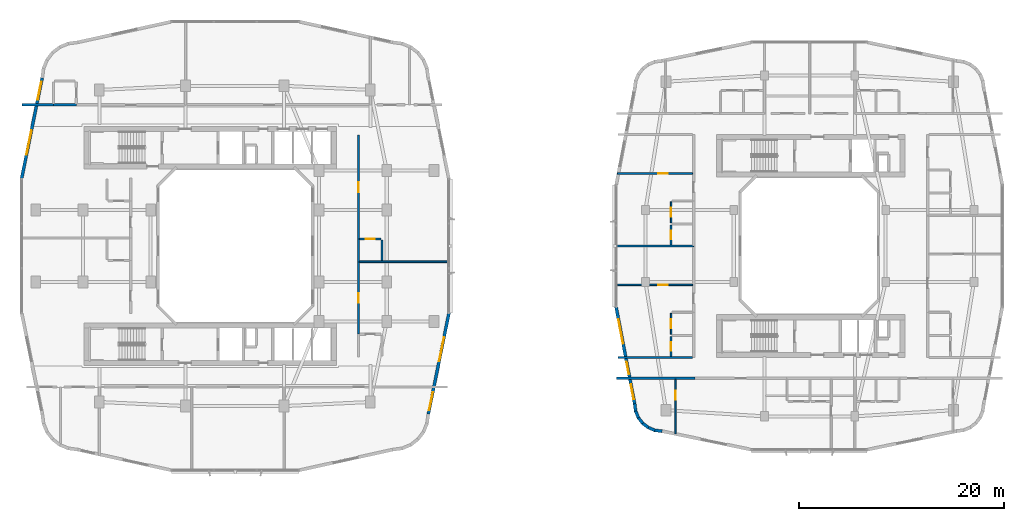
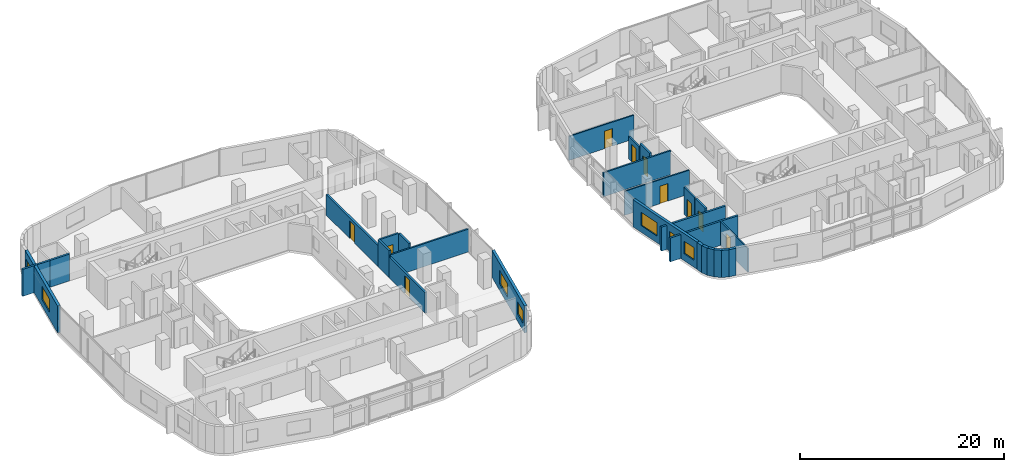
# One storey, part 15 of 26: 27 walls, 10 doors, 7 windows, 17 openings.
"""IFC4 building model written with IfcOpenShell, lengths in metres."""

import ifcopenshell
import ifcopenshell.guid

model = None  # the IFC model being written
_history = None  # IfcOwnerHistory: only IFC2X3 demands one
_inside = {}  # id of a spatial element -> (the spatial element, [elements in it])
_under = {}  # id of a project, library or spatial element -> (it, [spatial elements below it])
_declared = {}  # id of a project -> (the project, [libraries it declares])
_typed = {}  # id of a type object -> (the type object, [elements of that type])
_made_of = {}  # id of a material, layer set ... -> (it, [elements and type objects made of it])


def new_model(schema):
    """Start an empty IFC model of exactly this schema.

    Asked for "IFC4X3", IfcOpenShell would pick the latest addendum, in which some entities
    have other attributes; the version numbers below select the first issue.
    IFC2X3 requires an IfcOwnerHistory on every rooted entity: one is made here for all.
    """
    global model, _history
    if schema == "IFC4X3":
        model = ifcopenshell.file(schema_version=(4, 3, 0, 0))
    else:
        model = ifcopenshell.file(schema=schema)
    _inside.clear()
    _under.clear()
    _declared.clear()
    _typed.clear()
    _made_of.clear()
    _history = None
    if model.schema == "IFC2X3":
        org = make("IfcOrganization", Name="unknown")
        user = make(
            "IfcPersonAndOrganization",
            ThePerson=make("IfcPerson", FamilyName="unknown"),
            TheOrganization=org,
        )
        app = make(
            "IfcApplication",
            ApplicationDeveloper=org,
            Version="unknown",
            ApplicationFullName="unknown",
            ApplicationIdentifier="unknown",
        )
        _history = make(
            "IfcOwnerHistory",
            OwningUser=user,
            OwningApplication=app,
            ChangeAction="ADDED",
            CreationDate=0,
        )
    return model


def make(cls, **values):
    """One entity of the class cls with the attributes given. An attribute that is None is left unset."""
    return model.create_entity(
        cls, **{name: value for name, value in values.items() if value is not None}
    )


def rooted(cls, **values):
    """An entity with a GlobalId (a new one), such as an element, a storey or a relation."""
    return make(cls, GlobalId=ifcopenshell.guid.new(), OwnerHistory=_history, **values)


def si_unit(unit_type, name, prefix=None):
    """IfcSIUnit, for example si_unit("LENGTHUNIT", "METRE", prefix="MILLI")."""
    return make("IfcSIUnit", UnitType=unit_type, Prefix=prefix, Name=name)


def derived_unit(unit_type, elements):
    """IfcDerivedUnit: a product of units, each with its exponent."""
    return make(
        "IfcDerivedUnit",
        Elements=[
            make("IfcDerivedUnitElement", Unit=unit, Exponent=power)
            for unit, power in elements
        ],
        UnitType=unit_type,
    )


def assignment(units):
    """IfcUnitAssignment: the units of a project."""
    return None if units is None else make("IfcUnitAssignment", Units=units)


def point(xyz):
    """IfcCartesianPoint."""
    return None if xyz is None else make("IfcCartesianPoint", Coordinates=xyz)


def direction(xyz):
    """IfcDirection."""
    return None if xyz is None else make("IfcDirection", DirectionRatios=xyz)


def frame(location, z_axis=None, x_axis=None):
    """IfcAxis2Placement3D, a coordinate frame: its origin and axes. An axis left out is left unset."""
    return make(
        "IfcAxis2Placement3D",
        Location=point(location),
        Axis=direction(z_axis),
        RefDirection=direction(x_axis),
    )


def frame_2d(location, x_axis=None):
    """IfcAxis2Placement2D, a coordinate frame in the plane: its origin and x axis."""
    return make(
        "IfcAxis2Placement2D", Location=point(location), RefDirection=direction(x_axis)
    )


def origin():
    """The frame at (0, 0, 0) with its axes left unset."""
    return frame((0.0, 0.0, 0.0))


def place(relative_to, where):
    """IfcLocalPlacement: puts the frame where relative to a parent placement (None: the world)."""
    return make(
        "IfcLocalPlacement", PlacementRelTo=relative_to, RelativePlacement=where
    )


def context(
    kind, dimensions, precision=None, world=None, true_north=None, identifier=None
):
    """IfcGeometricRepresentationContext, for example the 3D "Model" context."""
    return make(
        "IfcGeometricRepresentationContext",
        ContextIdentifier=identifier,
        ContextType=kind,
        CoordinateSpaceDimension=dimensions,
        Precision=precision,
        WorldCoordinateSystem=world,
        TrueNorth=true_north,
    )


def subcontext(parent, identifier, kind, view, scale=None):
    """IfcGeometricRepresentationSubContext, for example "Body" below "Model"."""
    return make(
        "IfcGeometricRepresentationSubContext",
        ContextIdentifier=identifier,
        ContextType=kind,
        ParentContext=parent,
        TargetScale=scale,
        TargetView=view,
    )


def project(units=None, contexts=None):
    """IfcProject with its units and contexts."""
    return rooted(
        "IfcProject",
        Name="project",
        RepresentationContexts=contexts,
        UnitsInContext=assignment(units),
    )


def spatial(cls, under=None, at=None, **own):
    """A site, building, storey or space (cls), placed at a placement, below another one or the project."""
    s = rooted(cls, ObjectPlacement=at, **own)
    if under is not None:
        _under.setdefault(under.id(), (under, []))[1].append(s)
    return s


def profile(cls, at=None, kind="AREA", **sizes):
    """A parametric profile (cls). Its sizes go by their IFC names, for example OverallWidth=200.0."""
    return make(cls, ProfileType=kind, Position=at, **sizes)


def rectangle(**sizes):
    """IfcRectangleProfileDef."""
    return profile("IfcRectangleProfileDef", **sizes)


def extrude(swept, where, along, depth):
    """IfcExtrudedAreaSolid: the profile swept, set in the frame where, extruded along a direction by depth."""
    return make(
        "IfcExtrudedAreaSolid",
        SweptArea=swept,
        Position=where,
        ExtrudedDirection=direction(along),
        Depth=depth,
    )


def shape(context_of_items, identifier, shape_type, items):
    """IfcShapeRepresentation: the items that make up one representation, for example the "Body"."""
    return make(
        "IfcShapeRepresentation",
        ContextOfItems=context_of_items,
        RepresentationIdentifier=identifier,
        RepresentationType=shape_type,
        Items=items,
    )


def material(Name=None, Category=None):
    """IfcMaterial."""
    return make("IfcMaterial", Name=Name, Category=Category)


def layer(
    of_material, thickness, ventilated=None, Name=None, Category=None, Priority=None
):
    """IfcMaterialLayer: one layer of a wall or slab, of a material (None: an air gap)."""
    return make(
        "IfcMaterialLayer",
        Material=of_material,
        LayerThickness=thickness,
        IsVentilated=ventilated,
        Name=Name,
        Category=Category,
        Priority=Priority,
    )


def layer_set(layers, Name=None):
    """IfcMaterialLayerSet."""
    return make("IfcMaterialLayerSet", MaterialLayers=layers, LayerSetName=Name)


def made_of(thing, what):
    """Note that an element or type object is made of a material, layer set ...; save() writes the relation."""
    if what is not None:
        _made_of.setdefault(what.id(), (what, []))[1].append(thing)
    return thing


def type_object(cls, material=None, **own):
    """A type object (cls), such as IfcWallType, which elements share."""
    return made_of(rooted(cls, **own), material)


def element(
    cls,
    number,
    at=None,
    inside=None,
    cuts=None,
    type_object=None,
    material=None,
    context=None,
    identifier="Body",
    shape_type=None,
    held_by="IfcProductDefinitionShape",
    body=None,
    shapes=None,
    **own,
):
    """One element of the class cls, such as IfcWall. Its Tag is "e" and its number.

    at: its placement. inside: the storey or other place that contains it. cuts: it is an
    opening in that element (IfcRelVoidsElement). A single representation is given by context,
    identifier, shape_type and body (its items); several are given by shapes. held_by: the class
    of the entity that holds the representations. save() writes the other relations.
    """
    e = rooted(cls, Tag="e%d" % number, ObjectPlacement=at, **own)
    if body is not None:
        shapes = [shape(context, identifier, shape_type, body)]
    if shapes is not None:
        e.Representation = make(held_by, Representations=shapes)
    if inside is not None:
        _inside.setdefault(inside.id(), (inside, []))[1].append(e)
    if cuts is not None:
        rooted(
            "IfcRelVoidsElement", RelatingBuildingElement=cuts, RelatedOpeningElement=e
        )
    if type_object is not None:
        _typed.setdefault(type_object.id(), (type_object, []))[1].append(e)
    return made_of(e, material)


def fill(opening, filler):
    """IfcRelFillsElement: the door or window that sits in an opening."""
    return rooted(
        "IfcRelFillsElement",
        RelatingOpeningElement=opening,
        RelatedBuildingElement=filler,
    )


def aggregate(whole, parts):
    """IfcRelAggregates: a whole, such as a stair, and the parts it consists of."""
    return rooted("IfcRelAggregates", RelatingObject=whole, RelatedObjects=parts)


def save(model, path):
    """Write the relations noted so far, then the file.

    IfcRelAggregates (storeys below a building ...), IfcRelContainedInSpatialStructure (elements
    in a storey), IfcRelDefinesByType, IfcRelAssociatesMaterial and IfcRelDeclares: one each for
    every whole, place, type object, material and project.
    """
    for whole, parts in _under.values():
        aggregate(whole, parts)
    for where, things in _inside.values():
        rooted(
            "IfcRelContainedInSpatialStructure",
            RelatedElements=things,
            RelatingStructure=where,
        )
    for kind, things in _typed.values():
        rooted("IfcRelDefinesByType", RelatedObjects=things, RelatingType=kind)
    for what, things in _made_of.values():
        rooted("IfcRelAssociatesMaterial", RelatedObjects=things, RelatingMaterial=what)
    for by, libraries in _declared.values():
        rooted("IfcRelDeclares", RelatingContext=by, RelatedDefinitions=libraries)
    model.write(path)


model = new_model("IFC4")

# Units and contexts
model_context = context("Model", 3, precision=1e-05, world=origin(), true_north=direction((0.0, 1.0)))
body_context = subcontext(model_context, "Body", "Model", "MODEL_VIEW")
ifc_project = project(units=[si_unit("LENGTHUNIT", "METRE"), si_unit("AREAUNIT", "SQUARE_METRE"), si_unit("VOLUMEUNIT", "CUBIC_METRE"), si_unit("PLANEANGLEUNIT", "RADIAN"), si_unit("MASSUNIT", "GRAM", prefix="KILO"), derived_unit("THERMALTRANSMITTANCEUNIT", [(si_unit("POWERUNIT", "WATT"), 1), (si_unit("LENGTHUNIT", "METRE"), -2), (si_unit("THERMODYNAMICTEMPERATUREUNIT", "KELVIN"), -1)])], contexts=[model_context])

# Site, building, storey
site_placement = place(None, origin())
site = spatial("IfcSite", under=ifc_project, at=site_placement, CompositionType="ELEMENT")
building_placement = place(site_placement, origin())
building = spatial("IfcBuilding", under=site, at=building_placement, Name="Kivonza Crest Hotel", CompositionType="ELEMENT")
storey_placement = place(building_placement, frame((0.0, 0.0, 62.5)))
storey = spatial("IfcBuildingStorey", under=building, at=storey_placement, Name="L16", CompositionType="ELEMENT", Elevation=62.5)

# Walls
ifc_material_1 = material(Name="High-density acoustic masonry inter-tenancy wall", Category="masonry")
ifc_layer_1 = layer(ifc_material_1, 0.179931640625)
ifc_layer_set_1 = layer_set([ifc_layer_1], Name="High-density acoustic masonry inter-tenancy wall")
wall_type_1 = type_object("IfcWallType", Name="WL-ACOU-180", PredefinedType="SOLIDWALL", material=ifc_layer_set_1)
wall_1_placement = place(storey_placement, frame((33.050048828125, 23.4599609375, 0.0), z_axis=(0.0, 0.0, 1.0), x_axis=(1.0, 0.0, 0.0)))
element("IfcWall", 1, at=wall_1_placement, inside=storey, type_object=wall_type_1, Name="L16 interior partition WA-L16-T1E-DIV1", PredefinedType="SOLIDWALL", context=body_context, shape_type="SweptSolid", body=[
    extrude(rectangle(XDim=8.889892578125, YDim=0.179931640625, at=frame_2d((4.44482421875, 0.0))), origin(), (0.0, 0.0, 1.0), 2.7451171875),
])
wall_2_placement = place(storey_placement, frame((58.06005859375, 25.0, 0.0), z_axis=(0.0, 0.0, 1.0), x_axis=(1.0, 0.0, 0.0)))
element("IfcWall", 2, at=wall_2_placement, inside=storey, type_object=wall_type_1, Name="L16 interior partition WA-L16-T2W-DIV1", PredefinedType="SOLIDWALL", context=body_context, shape_type="SweptSolid", body=[
    extrude(rectangle(XDim=7.639892578125, YDim=0.179931640625, at=frame_2d((3.81982421875, 0.0))), origin(), (0.0, 0.0, 1.0), 2.864990234375),
])
ifc_material_2 = material(Name="Autoclaved aerated concrete blockwork", Category="masonry")
ifc_layer_2 = layer(ifc_material_2, 0.219970703125)
ifc_layer_set_2 = layer_set([ifc_layer_2], Name="Autoclaved aerated concrete blockwork")
wall_type_2 = type_object("IfcWallType", Name="WL-ACOU-220", PredefinedType="SOLIDWALL", material=ifc_layer_set_2)
wall_3_placement = place(storey_placement, frame((0.239990234375, 38.75, 0.0), z_axis=(0.0, 0.0, 1.0), x_axis=(1.0, 0.0, 0.0)))
element("IfcWall", 3, at=wall_3_placement, inside=storey, type_object=wall_type_2, Name="L16 interior partition WA-L16-N01-XCORR", PredefinedType="SOLIDWALL", context=body_context, shape_type="SweptSolid", body=[
    extrude(rectangle(XDim=3.110107421875, YDim=0.219970703125, at=frame_2d((1.55517578125, 0.0))), origin(), (0.0, 0.0, 1.0), 3.219970703125),
])
wall_4_placement = place(storey_placement, frame((3.35009765625, 38.75, 0.0), z_axis=(0.0, 0.0, 1.0), x_axis=(1.0, 0.0, 0.0)))
element("IfcWall", 4, at=wall_4_placement, inside=storey, type_object=wall_type_2, Name="L16 interior partition WA-L16-N01-BCORR", PredefinedType="SOLIDWALL", context=body_context, shape_type="SweptSolid", body=[
    extrude(rectangle(XDim=2.199951171875, YDim=0.219970703125, at=frame_2d((1.10009765625, 0.0))), origin(), (0.0, 0.0, 1.0), 3.219970703125),
])

# Wall, opening, door
wall_5_placement = place(storey_placement, frame((33.050048828125, 16.39990234375, 0.0), z_axis=(0.0, 0.0, 1.0), x_axis=(0.0, 1.0, 0.0)))
wall_5 = element("IfcWall", 5, at=wall_5_placement, inside=storey, type_object=wall_type_2, Name="L16 interior partition WA-L16-E04-MCORR", PredefinedType="SOLIDWALL", context=body_context, shape_type="SweptSolid", body=[
    extrude(rectangle(XDim=7.06005859375, YDim=0.219970703125, at=frame_2d((3.530029296875, 0.0))), origin(), (0.0, 0.0, 1.0), 2.4951171875),
])
opening_1_placement = place(wall_5_placement, frame((3.054931640625, 0.0, 0.0)))
opening_1 = element("IfcOpeningElement", 6, at=opening_1_placement, cuts=wall_5, Name="Opening DU-60", PredefinedType="OPENING", context=body_context, shape_type="SweptSolid", body=[
    extrude(rectangle(XDim=0.949951171875, YDim=2.10009765625, at=frame_2d((0.47509765625, 1.050048828125))), frame((0.0, 0.1201171875, 0.0), z_axis=(0.0, -1.0, 0.0), x_axis=(1.0, 0.0, 0.0)), (0.0, 0.0, 1.0), 0.239990234375),
])
ifc_material_3 = material(Name="Hardwood timber oak", Category="wood")
door_type_1 = type_object("IfcDoorType", Name="DR-UNIT-950", OperationType="NOTDEFINED", PredefinedType="DOOR", material=ifc_material_3)
door_1_placement = place(opening_1_placement, frame((0.949951171875, 0.0, 0.0), z_axis=(0.0, 0.0, 1.0), x_axis=(-1.0, 0.0, 0.0)))
door_1 = element("IfcDoor", 7, at=door_1_placement, inside=storey, type_object=door_type_1, Name="L16 E04 guest unit entrance fire door", OperationType="SINGLE_SWING_RIGHT", OverallHeight=2.10009765625, OverallWidth=0.949951171875, PredefinedType="DOOR", context=body_context, shape_type="SweptSolid", body=[
    extrude(rectangle(XDim=0.949951171875, YDim=2.10009765625, at=frame_2d((0.47509765625, 1.050048828125))), frame((0.0, 0.02490234375, 0.0), z_axis=(0.0, -1.0, 0.0), x_axis=(1.0, 0.0, 0.0)), (0.0, 0.0, 1.0), 0.050048828125),
])
fill(opening_1, door_1)

# Wall
wall_6_placement = place(storey_placement, frame((33.050048828125, 23.4599609375, 0.0), z_axis=(0.0, 0.0, 1.0), x_axis=(0.0, 1.0, 0.0)))
element("IfcWall", 8, at=wall_6_placement, inside=storey, type_object=wall_type_2, Name="L16 interior partition WA-L16-E05-BCORR", PredefinedType="SOLIDWALL", context=body_context, shape_type="SweptSolid", body=[
    extrude(rectangle(XDim=2.199951171875, YDim=0.219970703125, at=frame_2d((1.10009765625, 0.0))), origin(), (0.0, 0.0, 1.0), 3.219970703125),
])

# Wall, opening, door
wall_7_placement = place(storey_placement, frame((33.050048828125, 25.659912109375, 0.0), z_axis=(0.0, 0.0, 1.0), x_axis=(0.0, 1.0, 0.0)))
wall_7 = element("IfcWall", 9, at=wall_7_placement, inside=storey, type_object=wall_type_2, Name="L16 interior partition WA-L16-E05-MCORR", PredefinedType="SOLIDWALL", context=body_context, shape_type="SweptSolid", body=[
    extrude(rectangle(XDim=10.14013671875, YDim=0.219970703125, at=frame_2d((5.070068359375, 0.0))), origin(), (0.0, 0.0, 1.0), 2.4951171875),
])
opening_2_placement = place(wall_7_placement, frame((4.594970703125, 0.0, 0.0)))
opening_2 = element("IfcOpeningElement", 10, at=opening_2_placement, cuts=wall_7, Name="Opening DU-60", PredefinedType="OPENING", context=body_context, shape_type="SweptSolid", body=[
    extrude(rectangle(XDim=0.949951171875, YDim=2.10009765625, at=frame_2d((0.47509765625, 1.050048828125))), frame((0.0, 0.1201171875, 0.0), z_axis=(0.0, -1.0, 0.0), x_axis=(1.0, 0.0, 0.0)), (0.0, 0.0, 1.0), 0.239990234375),
])
door_2_placement = place(opening_2_placement, frame((0.949951171875, 0.0, 0.0), z_axis=(0.0, 0.0, 1.0), x_axis=(-1.0, 0.0, 0.0)))
door_2 = element("IfcDoor", 11, at=door_2_placement, inside=storey, type_object=door_type_1, Name="L16 E05 guest unit entrance fire door", OperationType="SINGLE_SWING_LEFT", OverallHeight=2.10009765625, OverallWidth=0.949951171875, PredefinedType="DOOR", context=body_context, shape_type="SweptSolid", body=[
    extrude(rectangle(XDim=0.949951171875, YDim=2.10009765625, at=frame_2d((0.47509765625, 1.050048828125))), frame((0.0, 0.02490234375, 0.0), z_axis=(0.0, -1.0, 0.0), x_axis=(1.0, 0.0, 0.0)), (0.0, 0.0, 1.0), 0.050048828125),
])
fill(opening_2, door_2)

# Walls
wall_8_placement = place(storey_placement, frame((58.159912109375, 12.10009765625, 0.0), z_axis=(0.0, 0.0, 1.0), x_axis=(1.0, 0.0, 0.0)))
element("IfcWall", 12, at=wall_8_placement, inside=storey, type_object=wall_type_2, Name="L16 interior partition WA-L16-A03-LCORR", PredefinedType="SOLIDWALL", context=body_context, shape_type="SweptSolid", body=[
    extrude(rectangle(XDim=7.690185546875, YDim=0.219970703125, at=frame_2d((3.84521484375, 0.0))), origin(), (0.0, 0.0, 1.0), 2.864990234375),
])
wall_9_placement = place(storey_placement, frame((58.320068359375, 14.139892578125, 0.0), z_axis=(0.0, 0.0, 1.0), x_axis=(1.0, 0.0, 0.0)))
element("IfcWall", 13, at=wall_9_placement, inside=storey, type_object=wall_type_2, Name="L16 interior partition WA-L16-T2W-ENDS", PredefinedType="SOLIDWALL", context=body_context, shape_type="SweptSolid", body=[
    extrude(rectangle(XDim=7.280029296875, YDim=0.219970703125, at=frame_2d((3.64013671875, 0.0))), origin(), (0.0, 0.0, 1.0), 2.864990234375),
])

# Wall, openings, windows
ifc_material_4 = material(Name="Precast concrete C40/50", Category="concrete")
ifc_layer_3 = layer(ifc_material_4, 0.300048828125)
ifc_layer_set_3 = layer_set([ifc_layer_3], Name="Precast concrete C40/50")
wall_type_3 = type_object("IfcWallType", Name="WL-EXT-300", PredefinedType="STANDARD", material=ifc_layer_set_3)
wall_10_placement = place(storey_placement, frame((39.85107421875, 8.6220703125, 0.0), z_axis=(0.0, 0.0, 1.0), x_axis=(0.199990901713, 0.979797754249, 0.0)))
wall_10 = element("IfcWall", 14, at=wall_10_placement, inside=storey, type_object=wall_type_3, Name="L16 T1 exterior insulated wall 16", PredefinedType="STANDARD", context=body_context, shape_type="SweptSolid", body=[
    extrude(rectangle(XDim=10.065185546875, YDim=0.300048828125, at=frame_2d((5.03271484375, 0.0))), origin(), (0.0, 0.0, 1.0), 3.219970703125),
])
opening_3_placement = place(wall_10_placement, frame((0.3779296875, 0.0, 0.85009765625)))
opening_3 = element("IfcOpeningElement", 15, at=opening_3_placement, cuts=wall_10, Name="Opening WN-03", PredefinedType="OPENING", context=body_context, shape_type="SweptSolid", body=[
    extrude(rectangle(XDim=1.800048828125, YDim=1.5, at=frame_2d((0.89990234375, 0.75))), frame((0.0, 0.16015625, 0.0), z_axis=(0.0, -1.0, 0.0), x_axis=(1.0, 0.0, 0.0)), (0.0, 0.0, 1.0), 0.320068359375),
])
opening_4_placement = place(wall_10_placement, frame((5.236083984375, 0.0, 0.800048828125)))
opening_4 = element("IfcOpeningElement", 16, at=opening_4_placement, cuts=wall_10, Name="Opening WN-05", PredefinedType="OPENING", context=body_context, shape_type="SweptSolid", body=[
    extrude(rectangle(XDim=2.39990234375, YDim=1.60009765625, at=frame_2d((1.199951171875, 0.800048828125))), frame((0.0, 0.16015625, 0.0), z_axis=(0.0, -1.0, 0.0), x_axis=(1.0, 0.0, 0.0)), (0.0, 0.0, 1.0), 0.320068359375),
])
ifc_material_5 = material(Name="Thermally broken bronze aluminium and low-E double glazing", Category="aluminium")
window_type_1 = type_object("IfcWindowType", Name="WN-180x150", PartitioningType="DOUBLE_PANEL_VERTICAL", PredefinedType="WINDOW", material=ifc_material_5)
window_1_placement = place(opening_3_placement, origin())
window_1 = element("IfcWindow", 17, at=window_1_placement, inside=storey, type_object=window_type_1, Name="L16 T1 facade window 16 bay 1", OverallHeight=1.5, OverallWidth=1.800048828125, PartitioningType="SINGLE_PANEL", PredefinedType="WINDOW", context=body_context, shape_type="SweptSolid", body=[
    extrude(rectangle(XDim=1.800048828125, YDim=1.5, at=frame_2d((0.89990234375, 0.75))), frame((0.0, 0.030029296875, 0.0), z_axis=(0.0, -1.0, 0.0), x_axis=(1.0, 0.0, 0.0)), (0.0, 0.0, 1.0), 0.06005859375),
])
fill(opening_3, window_1)
window_type_2 = type_object("IfcWindowType", Name="WN-240x160", PartitioningType="TRIPLE_PANEL_VERTICAL", PredefinedType="WINDOW", material=ifc_material_5)
window_2_placement = place(opening_4_placement, origin())
window_2 = element("IfcWindow", 18, at=window_2_placement, inside=storey, type_object=window_type_2, Name="L16 T1 facade window 16 bay 2", OverallHeight=1.60009765625, OverallWidth=2.39990234375, PartitioningType="SINGLE_PANEL", PredefinedType="WINDOW", context=body_context, shape_type="SweptSolid", body=[
    extrude(rectangle(XDim=2.39990234375, YDim=1.60009765625, at=frame_2d((1.199951171875, 0.800048828125))), frame((0.0, 0.030029296875, 0.0), z_axis=(0.0, -1.0, 0.0), x_axis=(1.0, 0.0, 0.0)), (0.0, 0.0, 1.0), 0.06005859375),
])
fill(opening_4, window_2)

wall_11_placement = place(storey_placement, frame((2.22900390625, 41.3779296875, 0.0), z_axis=(0.0, 0.0, 1.0), x_axis=(-0.199990901713, -0.979797754249, 0.0)))
wall_11 = element("IfcWall", 19, at=wall_11_placement, inside=storey, type_object=wall_type_3, Name="L16 T1 exterior insulated wall 34", PredefinedType="STANDARD", context=body_context, shape_type="SweptSolid", body=[
    extrude(rectangle(XDim=10.065185546875, YDim=0.300048828125, at=frame_2d((5.03271484375, 0.0))), origin(), (0.0, 0.0, 1.0), 3.219970703125),
])
opening_5_placement = place(wall_11_placement, frame((0.3779296875, 0.0, 0.85009765625)))
opening_5 = element("IfcOpeningElement", 20, at=opening_5_placement, cuts=wall_11, Name="Opening WN-03", PredefinedType="OPENING", context=body_context, shape_type="SweptSolid", body=[
    extrude(rectangle(XDim=1.800048828125, YDim=1.5, at=frame_2d((0.89990234375, 0.75))), frame((0.0, 0.16015625, 0.0), z_axis=(0.0, -1.0, 0.0), x_axis=(1.0, 0.0, 0.0)), (0.0, 0.0, 1.0), 0.320068359375),
])
opening_6_placement = place(wall_11_placement, frame((5.236083984375, 0.0, 0.800048828125)))
opening_6 = element("IfcOpeningElement", 21, at=opening_6_placement, cuts=wall_11, Name="Opening WN-05", PredefinedType="OPENING", context=body_context, shape_type="SweptSolid", body=[
    extrude(rectangle(XDim=2.39990234375, YDim=1.60009765625, at=frame_2d((1.199951171875, 0.800048828125))), frame((0.0, 0.16015625, 0.0), z_axis=(0.0, -1.0, 0.0), x_axis=(1.0, 0.0, 0.0)), (0.0, 0.0, 1.0), 0.320068359375),
])
window_3_placement = place(opening_5_placement, origin())
window_3 = element("IfcWindow", 22, at=window_3_placement, inside=storey, type_object=window_type_1, Name="L16 T1 facade window 34 bay 1", OverallHeight=1.5, OverallWidth=1.800048828125, PartitioningType="SINGLE_PANEL", PredefinedType="WINDOW", context=body_context, shape_type="SweptSolid", body=[
    extrude(rectangle(XDim=1.800048828125, YDim=1.5, at=frame_2d((0.89990234375, 0.75))), frame((0.0, 0.030029296875, 0.0), z_axis=(0.0, -1.0, 0.0), x_axis=(1.0, 0.0, 0.0)), (0.0, 0.0, 1.0), 0.06005859375),
])
fill(opening_5, window_3)
window_4_placement = place(opening_6_placement, origin())
window_4 = element("IfcWindow", 23, at=window_4_placement, inside=storey, type_object=window_type_2, Name="L16 T1 facade window 34 bay 2", OverallHeight=1.60009765625, OverallWidth=2.39990234375, PartitioningType="SINGLE_PANEL", PredefinedType="WINDOW", context=body_context, shape_type="SweptSolid", body=[
    extrude(rectangle(XDim=2.39990234375, YDim=1.60009765625, at=frame_2d((1.199951171875, 0.800048828125))), frame((0.0, 0.030029296875, 0.0), z_axis=(0.0, -1.0, 0.0), x_axis=(1.0, 0.0, 0.0)), (0.0, 0.0, 1.0), 0.06005859375),
])
fill(opening_6, window_4)

# Walls
wall_12_placement = place(storey_placement, frame((59.947998046875, 9.626953125, 0.0), z_axis=(0.0, 0.0, 1.0), x_axis=(0.130255288807, -0.991480488834, 0.0)))
element("IfcWall", 24, at=wall_12_placement, inside=storey, type_object=wall_type_3, Name="L16 T2 exterior insulated wall 1", PredefinedType="STANDARD", context=body_context, shape_type="SweptSolid", body=[
    extrude(rectangle(XDim=0.72900390625, YDim=0.300048828125, at=frame_2d((0.364501953125, 0.0))), origin(), (0.0, 0.0, 1.0), 3.25),
])
for number, where, z_axis, x_axis, name in (
    (25, (60.02392578125, 8.955078125, 0.0), (0.0, 0.0, 1.0), (0.383546213491, -0.923521684703, 0.0), "L16 T2 exterior insulated wall 2"),
    (26, (60.279052734375, 8.31103515625, 0.0), (0.0, 0.0, 1.0), (0.608397189915, -0.79363269798, 0.0), "L16 T2 exterior insulated wall 3"),
    (27, (60.69091796875, 7.75390625, 0.0), (0.0, 0.0, 1.0), (0.79363269798, -0.608397189915, 0.0), "L16 T2 exterior insulated wall 4"),
    (28, (61.23388671875, 7.323974609375, 0.0), (0.0, 0.0, 1.0), (0.923685632463, -0.383151213466, 0.0), "L16 T2 exterior insulated wall 5"),
):
    element("IfcWall", number, at=place(storey_placement, frame(where, z_axis=z_axis, x_axis=x_axis)), inside=storey, type_object=wall_type_3, Name=name, PredefinedType="STANDARD", context=body_context, shape_type="SweptSolid", body=[
        extrude(rectangle(XDim=0.74609375, YDim=0.300048828125, at=frame_2d((0.373046875, 0.0))), origin(), (0.0, 0.0, 1.0), 3.25),
    ])
wall_13_placement = place(storey_placement, frame((61.868896484375, 7.047119140625, 0.0), z_axis=(0.0, 0.0, 1.0), x_axis=(0.991559404866, -0.129653178221, 0.0)))
element("IfcWall", 29, at=wall_13_placement, inside=storey, type_object=wall_type_3, Name="L16 T2 exterior insulated wall 6", PredefinedType="STANDARD", context=body_context, shape_type="SweptSolid", body=[
    extrude(rectangle(XDim=0.764404296875, YDim=0.300048828125, at=frame_2d((0.38232421875, 0.0))), origin(), (0.0, 0.0, 1.0), 3.25),
])

# Wall, openings, windows
wall_14_placement = place(storey_placement, frame((58.136962890625, 19.08203125, 0.0), z_axis=(0.0, 0.0, 1.0), x_axis=(0.188087874316, -0.982152203854, 0.0)))
wall_14 = element("IfcWall", 30, at=wall_14_placement, inside=storey, type_object=wall_type_3, Name="L16 T2 exterior insulated wall 36", PredefinedType="STANDARD", context=body_context, shape_type="SweptSolid", body=[
    extrude(rectangle(XDim=9.6337890625, YDim=0.300048828125, at=frame_2d((4.81689453125, 0.0))), origin(), (0.0, 0.0, 1.0), 3.25),
])
opening_7_placement = place(wall_14_placement, frame((1.2548828125, 0.0, 0.800048828125)))
opening_7 = element("IfcOpeningElement", 31, at=opening_7_placement, cuts=wall_14, Name="Opening WN-05", PredefinedType="OPENING", context=body_context, shape_type="SweptSolid", body=[
    extrude(rectangle(XDim=2.39990234375, YDim=1.60009765625, at=frame_2d((1.199951171875, 0.800048828125))), frame((0.0, 0.16015625, 0.0), z_axis=(0.0, -1.0, 0.0), x_axis=(1.0, 0.0, 0.0)), (0.0, 0.0, 1.0), 0.320068359375),
])
opening_8_placement = place(wall_14_placement, frame((5.469970703125, 0.0, 0.85009765625)))
opening_8 = element("IfcOpeningElement", 32, at=opening_8_placement, cuts=wall_14, Name="Opening WN-01", PredefinedType="OPENING", context=body_context, shape_type="SweptSolid", body=[
    extrude(rectangle(XDim=1.199951171875, YDim=1.5, at=frame_2d((0.60009765625, 0.75))), frame((0.0, 0.16015625, 0.0), z_axis=(0.0, -1.0, 0.0), x_axis=(1.0, 0.0, 0.0)), (0.0, 0.0, 1.0), 0.320068359375),
])
opening_9_placement = place(wall_14_placement, frame((7.681884765625, 0.0, 0.85009765625)))
opening_9 = element("IfcOpeningElement", 33, at=opening_9_placement, cuts=wall_14, Name="Opening WN-02", PredefinedType="OPENING", context=body_context, shape_type="SweptSolid", body=[
    extrude(rectangle(XDim=1.5, YDim=1.5, at=frame_2d((0.75, 0.75))), frame((0.0, 0.16015625, 0.0), z_axis=(0.0, -1.0, 0.0), x_axis=(1.0, 0.0, 0.0)), (0.0, 0.0, 1.0), 0.320068359375),
])
window_type_3 = type_object("IfcWindowType", Name="WN-120x150", PartitioningType="SINGLE_PANEL", PredefinedType="WINDOW", material=ifc_material_5)
window_5_placement = place(opening_8_placement, origin())
window_5 = element("IfcWindow", 34, at=window_5_placement, inside=storey, type_object=window_type_3, Name="L16 T2 facade window 36 bay 2", OverallHeight=1.5, OverallWidth=1.199951171875, PartitioningType="SINGLE_PANEL", PredefinedType="WINDOW", context=body_context, shape_type="SweptSolid", body=[
    extrude(rectangle(XDim=1.199951171875, YDim=1.5, at=frame_2d((0.60009765625, 0.75))), frame((0.0, 0.030029296875, 0.0), z_axis=(0.0, -1.0, 0.0), x_axis=(1.0, 0.0, 0.0)), (0.0, 0.0, 1.0), 0.06005859375),
])
fill(opening_8, window_5)
window_type_4 = type_object("IfcWindowType", Name="WN-150x150", PartitioningType="DOUBLE_PANEL_VERTICAL", PredefinedType="WINDOW", material=ifc_material_5)
window_6_placement = place(opening_9_placement, origin())
window_6 = element("IfcWindow", 35, at=window_6_placement, inside=storey, type_object=window_type_4, Name="L16 T2 facade window 36 bay 3", OverallHeight=1.5, OverallWidth=1.5, PartitioningType="SINGLE_PANEL", PredefinedType="WINDOW", context=body_context, shape_type="SweptSolid", body=[
    extrude(rectangle(XDim=1.5, YDim=1.5, at=frame_2d((0.75, 0.75))), frame((0.0, 0.030029296875, 0.0), z_axis=(0.0, -1.0, 0.0), x_axis=(1.0, 0.0, 0.0)), (0.0, 0.0, 1.0), 0.06005859375),
])
fill(opening_9, window_6)
window_7_placement = place(opening_7_placement, origin())
window_7 = element("IfcWindow", 36, at=window_7_placement, inside=storey, type_object=window_type_2, Name="L16 T2 facade window 36 bay 1", OverallHeight=1.60009765625, OverallWidth=2.39990234375, PartitioningType="SINGLE_PANEL", PredefinedType="WINDOW", context=body_context, shape_type="SweptSolid", body=[
    extrude(rectangle(XDim=2.39990234375, YDim=1.60009765625, at=frame_2d((1.199951171875, 0.800048828125))), frame((0.0, 0.030029296875, 0.0), z_axis=(0.0, -1.0, 0.0), x_axis=(1.0, 0.0, 0.0)), (0.0, 0.0, 1.0), 0.06005859375),
])
fill(opening_7, window_7)

# Wall, opening, door
ifc_material_6 = material(Name="Twin-stud acoustic gypsum board partition", Category="gypsum")
ifc_layer_4 = layer(ifc_material_6, 0.14990234375)
ifc_layer_set_4 = layer_set([ifc_layer_4], Name="Twin-stud acoustic gypsum board partition")
wall_type_4 = type_object("IfcWallType", Name="WL-PART-150", PredefinedType="PARTITIONING", material=ifc_layer_set_4)
wall_15_placement = place(storey_placement, frame((63.909912109375, 6.68896484375, 0.0), z_axis=(0.0, 0.0, 1.0), x_axis=(0.0, 1.0, 0.0)))
wall_15 = element("IfcWall", 37, at=wall_15_placement, inside=storey, type_object=wall_type_4, Name="L16 interior partition WP-L16-A03-BDW1", PredefinedType="PARTITIONING", context=body_context, shape_type="SweptSolid", body=[
    extrude(rectangle(XDim=5.31103515625, YDim=0.14990234375, at=frame_2d((2.655517578125, 0.0))), origin(), (0.0, 0.0, 1.0), 2.864990234375),
])
opening_10_placement = place(wall_15_placement, frame((3.31005859375, 0.0, 0.0)))
opening_10 = element("IfcOpeningElement", 38, at=opening_10_placement, cuts=wall_15, Name="Opening DI-90", PredefinedType="OPENING", context=body_context, shape_type="SweptSolid", body=[
    extrude(rectangle(XDim=0.89990234375, YDim=2.10009765625, at=frame_2d((0.449951171875, 1.050048828125))), frame((0.0, 0.0849609375, 0.0), z_axis=(0.0, -1.0, 0.0), x_axis=(1.0, 0.0, 0.0)), (0.0, 0.0, 1.0), 0.169921875),
])
door_type_2 = type_object("IfcDoorType", Name="DR-INT-900", OperationType="NOTDEFINED", PredefinedType="DOOR", material=ifc_material_3)
door_3_placement = place(opening_10_placement, origin())
door_3 = element("IfcDoor", 39, at=door_3_placement, inside=storey, type_object=door_type_2, Name="L16 A03 bedroom 1 door", OperationType="SINGLE_SWING_RIGHT", OverallHeight=2.10009765625, OverallWidth=0.89990234375, PredefinedType="DOOR", context=body_context, shape_type="SweptSolid", body=[
    extrude(rectangle(XDim=0.89990234375, YDim=2.10009765625, at=frame_2d((0.449951171875, 1.050048828125))), frame((0.0, 0.02490234375, 0.0), z_axis=(0.0, -1.0, 0.0), x_axis=(1.0, 0.0, 0.0)), (0.0, 0.0, 1.0), 0.050048828125),
])
fill(opening_10, door_3)

wall_16_placement = place(storey_placement, frame((58.260009765625, 21.199951171875, 0.0), z_axis=(0.0, 0.0, 1.0), x_axis=(1.0, 0.0, 0.0)))
wall_16 = element("IfcWall", 40, at=wall_16_placement, inside=storey, type_object=wall_type_4, Name="L16 interior partition WP-L16-A05-BD1", PredefinedType="PARTITIONING", context=body_context, shape_type="SweptSolid", body=[
    extrude(rectangle(XDim=7.340087890625, YDim=0.14990234375, at=frame_2d((3.669921875, 0.0))), origin(), (0.0, 0.0, 1.0), 2.864990234375),
])
opening_11_placement = place(wall_16_placement, frame((3.989990234375, 0.0, 0.0)))
opening_11 = element("IfcOpeningElement", 41, at=opening_11_placement, cuts=wall_16, Name="Opening DI-90", PredefinedType="OPENING", context=body_context, shape_type="SweptSolid", body=[
    extrude(rectangle(XDim=0.89990234375, YDim=2.10009765625, at=frame_2d((0.449951171875, 1.050048828125))), frame((0.0, 0.0849609375, 0.0), z_axis=(0.0, -1.0, 0.0), x_axis=(1.0, 0.0, 0.0)), (0.0, 0.0, 1.0), 0.169921875),
])
door_4_placement = place(opening_11_placement, origin())
door_4 = element("IfcDoor", 42, at=door_4_placement, inside=storey, type_object=door_type_2, Name="L16 A05 bedroom door", OperationType="SINGLE_SWING_RIGHT", OverallHeight=2.10009765625, OverallWidth=0.89990234375, PredefinedType="DOOR", context=body_context, shape_type="SweptSolid", body=[
    extrude(rectangle(XDim=0.89990234375, YDim=2.10009765625, at=frame_2d((0.449951171875, 1.050048828125))), frame((0.0, 0.02490234375, 0.0), z_axis=(0.0, -1.0, 0.0), x_axis=(1.0, 0.0, 0.0)), (0.0, 0.0, 1.0), 0.050048828125),
])
fill(opening_11, door_4)

wall_17_placement = place(storey_placement, frame((63.5, 16.389892578125, 0.0), z_axis=(0.0, 0.0, 1.0), x_axis=(0.0, 1.0, 0.0)))
wall_17 = element("IfcWall", 43, at=wall_17_placement, inside=storey, type_object=wall_type_4, Name="L16 interior partition WP-L16-A05-KSVC", PredefinedType="PARTITIONING", context=body_context, shape_type="SweptSolid", body=[
    extrude(rectangle(XDim=2.050048828125, YDim=0.14990234375, at=frame_2d((1.02490234375, 0.0))), origin(), (0.0, 0.0, 1.0), 3.219970703125),
])
opening_12_placement = place(wall_17_placement, frame((0.574951171875, 0.0, 0.0)))
opening_12 = element("IfcOpeningElement", 44, at=opening_12_placement, cuts=wall_17, Name="Opening DI-90", PredefinedType="OPENING", context=body_context, shape_type="SweptSolid", body=[
    extrude(rectangle(XDim=0.89990234375, YDim=2.10009765625, at=frame_2d((0.449951171875, 1.050048828125))), frame((0.0, 0.0849609375, 0.0), z_axis=(0.0, -1.0, 0.0), x_axis=(1.0, 0.0, 0.0)), (0.0, 0.0, 1.0), 0.169921875),
])
door_5_placement = place(opening_12_placement, origin())
door_5 = element("IfcDoor", 45, at=door_5_placement, inside=storey, type_object=door_type_2, Name="L16 A05 apartment kitchen door", OperationType="SINGLE_SWING_LEFT", OverallHeight=2.10009765625, OverallWidth=0.89990234375, PredefinedType="DOOR", context=body_context, shape_type="SweptSolid", body=[
    extrude(rectangle(XDim=0.89990234375, YDim=2.10009765625, at=frame_2d((0.449951171875, 1.050048828125))), frame((0.0, 0.02490234375, 0.0), z_axis=(0.0, -1.0, 0.0), x_axis=(1.0, 0.0, 0.0)), (0.0, 0.0, 1.0), 0.050048828125),
])
fill(opening_12, door_5)

wall_18_placement = place(storey_placement, frame((58.260009765625, 32.06005859375, 0.0), z_axis=(0.0, 0.0, 1.0), x_axis=(1.0, 0.0, 0.0)))
wall_18 = element("IfcWall", 46, at=wall_18_placement, inside=storey, type_object=wall_type_4, Name="L16 interior partition WP-L16-A06-BD1", PredefinedType="PARTITIONING", context=body_context, shape_type="SweptSolid", body=[
    extrude(rectangle(XDim=7.340087890625, YDim=0.14990234375, at=frame_2d((3.669921875, 0.0))), origin(), (0.0, 0.0, 1.0), 2.864990234375),
])
opening_13_placement = place(wall_18_placement, frame((3.989990234375, 0.0, 0.0)))
opening_13 = element("IfcOpeningElement", 47, at=opening_13_placement, cuts=wall_18, Name="Opening DI-90", PredefinedType="OPENING", context=body_context, shape_type="SweptSolid", body=[
    extrude(rectangle(XDim=0.89990234375, YDim=2.10009765625, at=frame_2d((0.449951171875, 1.050048828125))), frame((0.0, 0.0849609375, 0.0), z_axis=(0.0, -1.0, 0.0), x_axis=(1.0, 0.0, 0.0)), (0.0, 0.0, 1.0), 0.169921875),
])
door_6_placement = place(opening_13_placement, origin())
door_6 = element("IfcDoor", 48, at=door_6_placement, inside=storey, type_object=door_type_2, Name="L16 A06 bedroom door", OperationType="SINGLE_SWING_LEFT", OverallHeight=2.10009765625, OverallWidth=0.89990234375, PredefinedType="DOOR", context=body_context, shape_type="SweptSolid", body=[
    extrude(rectangle(XDim=0.89990234375, YDim=2.10009765625, at=frame_2d((0.449951171875, 1.050048828125))), frame((0.0, 0.02490234375, 0.0), z_axis=(0.0, -1.0, 0.0), x_axis=(1.0, 0.0, 0.0)), (0.0, 0.0, 1.0), 0.050048828125),
])
fill(opening_13, door_6)

wall_19_placement = place(storey_placement, frame((63.5, 27.25, 0.0), z_axis=(0.0, 0.0, 1.0), x_axis=(0.0, 1.0, 0.0)))
wall_19 = element("IfcWall", 49, at=wall_19_placement, inside=storey, type_object=wall_type_4, Name="L16 interior partition WP-L16-A06-KSVC", PredefinedType="PARTITIONING", context=body_context, shape_type="SweptSolid", body=[
    extrude(rectangle(XDim=2.050048828125, YDim=0.14990234375, at=frame_2d((1.02490234375, 0.0))), origin(), (0.0, 0.0, 1.0), 2.72509765625),
])
opening_14_placement = place(wall_19_placement, frame((0.574951171875, 0.0, 0.0)))
opening_14 = element("IfcOpeningElement", 50, at=opening_14_placement, cuts=wall_19, Name="Opening DI-90", PredefinedType="OPENING", context=body_context, shape_type="SweptSolid", body=[
    extrude(rectangle(XDim=0.89990234375, YDim=2.10009765625, at=frame_2d((0.449951171875, 1.050048828125))), frame((0.0, 0.0849609375, 0.0), z_axis=(0.0, -1.0, 0.0), x_axis=(1.0, 0.0, 0.0)), (0.0, 0.0, 1.0), 0.169921875),
])
door_7_placement = place(opening_14_placement, origin())
door_7 = element("IfcDoor", 51, at=door_7_placement, inside=storey, type_object=door_type_2, Name="L16 A06 apartment kitchen door", OperationType="SINGLE_SWING_RIGHT", OverallHeight=2.10009765625, OverallWidth=0.89990234375, PredefinedType="DOOR", context=body_context, shape_type="SweptSolid", body=[
    extrude(rectangle(XDim=0.89990234375, YDim=2.10009765625, at=frame_2d((0.449951171875, 1.050048828125))), frame((0.0, 0.02490234375, 0.0), z_axis=(0.0, -1.0, 0.0), x_axis=(1.0, 0.0, 0.0)), (0.0, 0.0, 1.0), 0.050048828125),
])
fill(opening_14, door_7)

ifc_material_7 = material(Name="Moisture-resistant plumbing chase partition wall", Category="gypsum")
ifc_layer_5 = layer(ifc_material_7, 0.199951171875)
ifc_layer_set_5 = layer_set([ifc_layer_5], Name="Moisture-resistant plumbing chase partition wall")
wall_type_5 = type_object("IfcWallType", Name="WL-PLUMB-200", PredefinedType="PLUMBINGWALL", material=ifc_layer_set_5)
wall_20_placement = place(storey_placement, frame((33.14990234375, 25.659912109375, 0.0), z_axis=(0.0, 0.0, 1.0), x_axis=(1.0, 0.0, 0.0)))
wall_20 = element("IfcWall", 52, at=wall_20_placement, inside=storey, type_object=wall_type_5, Name="L16 interior partition WW-L16-E05-BH", PredefinedType="PLUMBINGWALL", context=body_context, shape_type="SweptSolid", body=[
    extrude(rectangle(XDim=2.10009765625, YDim=0.199951171875, at=frame_2d((1.050048828125, 0.0))), origin(), (0.0, 0.0, 1.0), 3.219970703125),
])
opening_15_placement = place(wall_20_placement, frame((0.625, 0.0, 0.0)))
opening_15 = element("IfcOpeningElement", 53, at=opening_15_placement, cuts=wall_20, Name="Opening DI-85", PredefinedType="OPENING", context=body_context, shape_type="SweptSolid", body=[
    extrude(rectangle(XDim=0.85009765625, YDim=2.10009765625, at=frame_2d((0.425048828125, 1.050048828125))), frame((0.0, 0.10986328125, 0.0), z_axis=(0.0, -1.0, 0.0), x_axis=(1.0, 0.0, 0.0)), (0.0, 0.0, 1.0), 0.219970703125),
])
door_type_3 = type_object("IfcDoorType", Name="DR-INT-850", OperationType="NOTDEFINED", PredefinedType="DOOR", material=ifc_material_3)
door_8_placement = place(opening_15_placement, origin())
door_8 = element("IfcDoor", 54, at=door_8_placement, inside=storey, type_object=door_type_3, Name="L16 E05 en-suite bathroom door", OperationType="SINGLE_SWING_RIGHT", OverallHeight=2.10009765625, OverallWidth=0.85009765625, PredefinedType="DOOR", context=body_context, shape_type="SweptSolid", body=[
    extrude(rectangle(XDim=0.85009765625, YDim=2.10009765625, at=frame_2d((0.425048828125, 1.050048828125))), frame((0.0, 0.02490234375, 0.0), z_axis=(0.0, -1.0, 0.0), x_axis=(1.0, 0.0, 0.0)), (0.0, 0.0, 1.0), 0.050048828125),
])
fill(opening_15, door_8)

# Wall
wall_21_placement = place(storey_placement, frame((35.35009765625, 23.56005859375, 0.0), z_axis=(0.0, 0.0, 1.0), x_axis=(0.0, 1.0, 0.0)))
element("IfcWall", 55, at=wall_21_placement, inside=storey, type_object=wall_type_5, Name="L16 interior partition WW-L16-E05-BV", PredefinedType="PLUMBINGWALL", context=body_context, shape_type="SweptSolid", body=[
    extrude(rectangle(XDim=2.0, YDim=0.199951171875, at=frame_2d((1.0, 0.0))), origin(), (0.0, 0.0, 1.0), 3.219970703125),
])

# Wall, opening, door
wall_22_placement = place(storey_placement, frame((63.5, 14.239990234375, 0.0), z_axis=(0.0, 0.0, 1.0), x_axis=(0.0, 1.0, 0.0)))
wall_22 = element("IfcWall", 56, at=wall_22_placement, inside=storey, type_object=wall_type_5, Name="L16 interior partition WW-L16-A05-BSVC", PredefinedType="PLUMBINGWALL", context=body_context, shape_type="SweptSolid", body=[
    extrude(rectangle(XDim=1.949951171875, YDim=0.199951171875, at=frame_2d((0.97509765625, 0.0))), origin(), (0.0, 0.0, 1.0), 3.219970703125),
])
opening_16_placement = place(wall_22_placement, frame((0.550048828125, 0.0, 0.0)))
opening_16 = element("IfcOpeningElement", 57, at=opening_16_placement, cuts=wall_22, Name="Opening DI-85", PredefinedType="OPENING", context=body_context, shape_type="SweptSolid", body=[
    extrude(rectangle(XDim=0.85009765625, YDim=2.10009765625, at=frame_2d((0.425048828125, 1.050048828125))), frame((0.0, 0.10986328125, 0.0), z_axis=(0.0, -1.0, 0.0), x_axis=(1.0, 0.0, 0.0)), (0.0, 0.0, 1.0), 0.219970703125),
])
door_9_placement = place(opening_16_placement, origin())
door_9 = element("IfcDoor", 58, at=door_9_placement, inside=storey, type_object=door_type_3, Name="L16 A05 apartment bathroom door", OperationType="SINGLE_SWING_RIGHT", OverallHeight=2.10009765625, OverallWidth=0.85009765625, PredefinedType="DOOR", context=body_context, shape_type="SweptSolid", body=[
    extrude(rectangle(XDim=0.85009765625, YDim=2.10009765625, at=frame_2d((0.425048828125, 1.050048828125))), frame((0.0, 0.02490234375, 0.0), z_axis=(0.0, -1.0, 0.0), x_axis=(1.0, 0.0, 0.0)), (0.0, 0.0, 1.0), 0.050048828125),
])
fill(opening_16, door_9)

wall_23_placement = place(storey_placement, frame((63.5, 25.10009765625, 0.0), z_axis=(0.0, 0.0, 1.0), x_axis=(0.0, 1.0, 0.0)))
wall_23 = element("IfcWall", 59, at=wall_23_placement, inside=storey, type_object=wall_type_5, Name="L16 interior partition WW-L16-A06-BSVC", PredefinedType="PLUMBINGWALL", context=body_context, shape_type="SweptSolid", body=[
    extrude(rectangle(XDim=1.949951171875, YDim=0.199951171875, at=frame_2d((0.97509765625, 0.0))), origin(), (0.0, 0.0, 1.0), 3.219970703125),
])
opening_17_placement = place(wall_23_placement, frame((0.550048828125, 0.0, 0.0)))
opening_17 = element("IfcOpeningElement", 60, at=opening_17_placement, cuts=wall_23, Name="Opening DI-85", PredefinedType="OPENING", context=body_context, shape_type="SweptSolid", body=[
    extrude(rectangle(XDim=0.85009765625, YDim=2.10009765625, at=frame_2d((0.425048828125, 1.050048828125))), frame((0.0, 0.10986328125, 0.0), z_axis=(0.0, -1.0, 0.0), x_axis=(1.0, 0.0, 0.0)), (0.0, 0.0, 1.0), 0.219970703125),
])
door_10_placement = place(opening_17_placement, origin())
door_10 = element("IfcDoor", 61, at=door_10_placement, inside=storey, type_object=door_type_3, Name="L16 A06 apartment bathroom door", OperationType="SINGLE_SWING_LEFT", OverallHeight=2.10009765625, OverallWidth=0.85009765625, PredefinedType="DOOR", context=body_context, shape_type="SweptSolid", body=[
    extrude(rectangle(XDim=0.85009765625, YDim=2.10009765625, at=frame_2d((0.425048828125, 1.050048828125))), frame((0.0, 0.02490234375, 0.0), z_axis=(0.0, -1.0, 0.0), x_axis=(1.0, 0.0, 0.0)), (0.0, 0.0, 1.0), 0.050048828125),
])
fill(opening_17, door_10)

save(model, "model.ifc")
